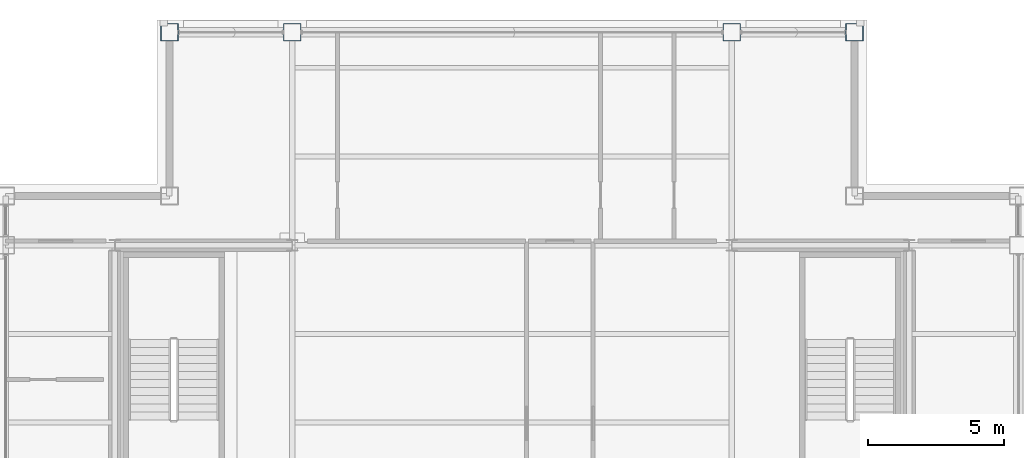
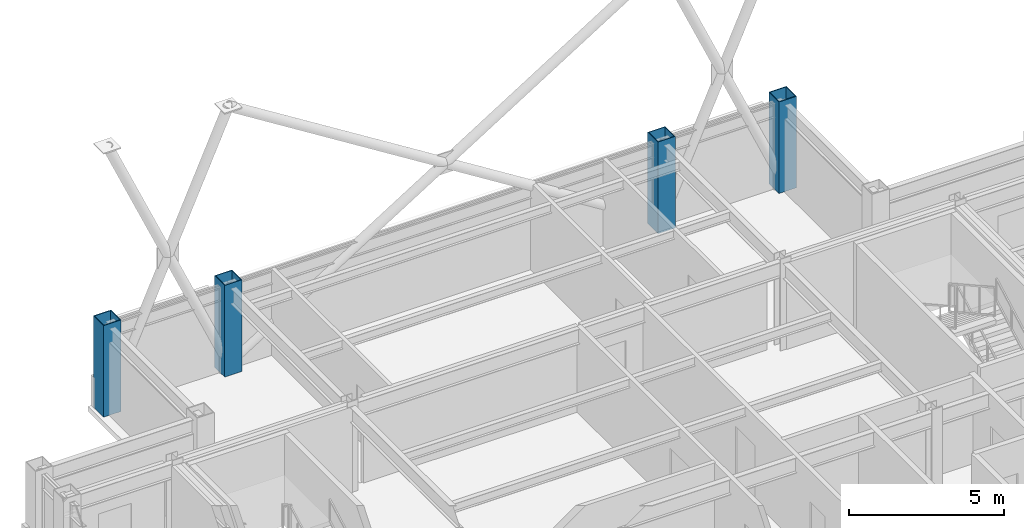
# One storey, part 2 of 26: 4 columns.
"""IFC4 building model written with IfcOpenShell, lengths in metres."""

from ifc_helpers import new_model, si_unit, direction, frame, origin, origin_2d, place, context, subcontext, project, spatial, hollow_rectangle, extrude, material, material_profile, profile_set, type_object, element, save


model = new_model("IFC4")

# Units and contexts
model_context = context("Model", 3, precision=1e-05, world=origin(), true_north=direction((0.0, 1.0)))
body_context = subcontext(model_context, "Body", "Model", "MODEL_VIEW")
ifc_project = project(units=[si_unit("LENGTHUNIT", "METRE"), si_unit("AREAUNIT", "SQUARE_METRE"), si_unit("VOLUMEUNIT", "CUBIC_METRE"), si_unit("PLANEANGLEUNIT", "RADIAN"), si_unit("MASSUNIT", "GRAM", prefix="KILO")], contexts=[model_context])

# Site, building, storey
site_placement = place(None, origin())
site = spatial("IfcSite", under=ifc_project, at=site_placement, CompositionType="ELEMENT")
building_placement = place(site_placement, origin())
building = spatial("IfcBuilding", under=site, at=building_placement, Name="Brelmoor Portico Tower", CompositionType="ELEMENT")
storey_placement = place(building_placement, frame((0.0, 0.0, 247.199951171875)))
storey = spatial("IfcBuildingStorey", under=building, at=storey_placement, Name="L65", CompositionType="ELEMENT", Elevation=247.199951171875)

# Columns
ifc_material = material(Name="Steel Q355B", Category="steel")
ifc_material_profile = material_profile(ifc_material, hollow_rectangle(XDim=0.64990234375, YDim=0.64990234375, WallThickness=0.028076171875, at=origin_2d()), Name="BOX 650x650x28")
ifc_profile_set = profile_set([ifc_material_profile], Name="Steel Q355B")
column_type = type_object("IfcColumnType", Name="COL-MEGA-650", PredefinedType="COLUMN", material=ifc_profile_set)
for number, where, z_axis, x_axis, name in (
    (1, (-12.550048828125, 17.550048828125, 0.0), (0.0, 0.0, 1.0), (1.0, 0.0, 0.0), "L65 Perimeter Mega-Column PN01"),
    (2, (-8.050048828125, 17.550048828125, 0.0), (0.0, 0.0, 1.0), (1.0, 0.0, 0.0), "L65 Perimeter Mega-Column PN02"),
    (3, (8.050048828125, 17.550048828125, 0.0), (0.0, 0.0, 1.0), (1.0, 0.0, 0.0), "L65 Perimeter Mega-Column PN03"),
    (4, (12.550048828125, 17.550048828125, 0.0), (0.0, 0.0, 1.0), (1.0, 0.0, 0.0), "L65 Perimeter Mega-Column PN04"),
):
    element("IfcColumn", number, at=place(storey_placement, frame(where, z_axis=z_axis, x_axis=x_axis)), inside=storey, type_object=column_type, Name=name, PredefinedType="COLUMN", context=body_context, shape_type="SweptSolid", body=[
        extrude(hollow_rectangle(XDim=0.64990234375, YDim=0.64990234375, WallThickness=0.028076171875, at=origin_2d()), origin(), (0.0, 0.0, 1.0), 3.60009765625),
    ])

save(model, "model.ifc")
